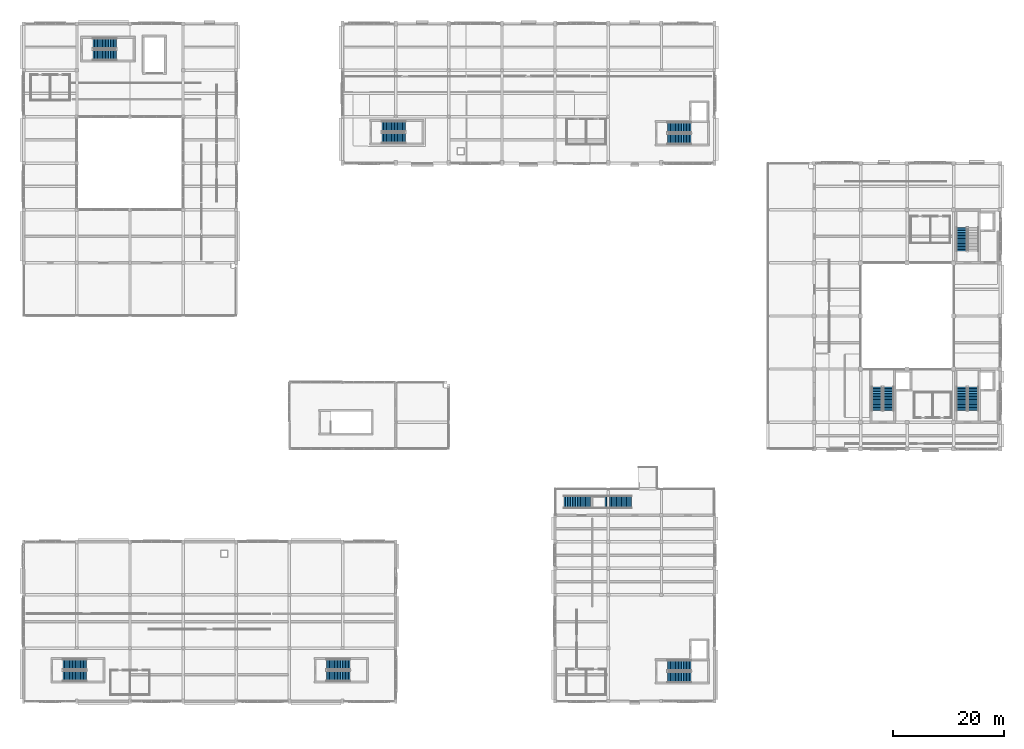
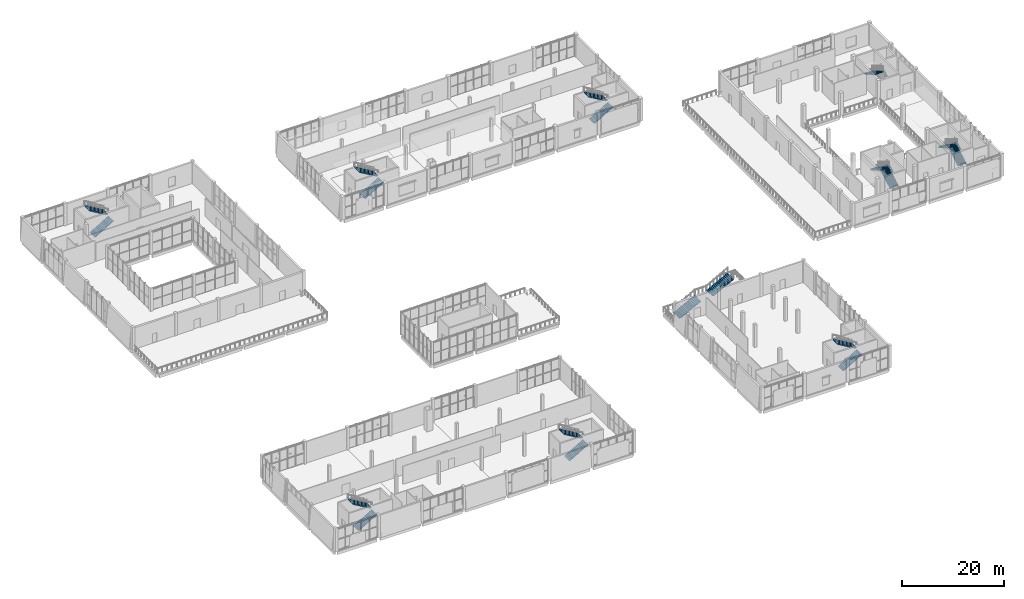
# One storey, part 61 of 83: 19 stair flights, 10 elements without a shape of their own.
"""IFC4 building model written with IfcOpenShell, lengths in metres."""

from ifc_helpers import new_model, si_unit, direction, frame, origin, place, context, subcontext, project, spatial, polyline, outline, extrude, material, type_object, element, aggregate, save


model = new_model("IFC4")

# Units and contexts
model_context = context("Model", 3, precision=1e-05, world=origin(), true_north=direction((0.0, 1.0)))
body_context = subcontext(model_context, "Body", "Model", "MODEL_VIEW")
ifc_project = project(units=[si_unit("LENGTHUNIT", "METRE"), si_unit("AREAUNIT", "SQUARE_METRE"), si_unit("VOLUMEUNIT", "CUBIC_METRE"), si_unit("PLANEANGLEUNIT", "RADIAN"), si_unit("MASSUNIT", "GRAM", prefix="KILO")], contexts=[model_context])

# Site, building, storey
site_placement = place(None, origin())
site = spatial("IfcSite", under=ifc_project, at=site_placement, CompositionType="ELEMENT")
building_placement = place(site_placement, origin())
building = spatial("IfcBuilding", under=site, at=building_placement, Name="Shalvenor Court Art Gallery", CompositionType="ELEMENT")
storey_placement = place(building_placement, frame((0.0, 0.0, 6.0)))
storey = spatial("IfcBuildingStorey", under=building, at=storey_placement, Name="L01", CompositionType="ELEMENT", Elevation=6.0)

# Stair, stair flight
ifc_material_1 = material(Name="Concrete C40/50", Category="concrete")
stair_type_1 = type_object("IfcStairType", Name="ST-DL-32R-1900", PredefinedType="HALF_TURN_STAIR", material=ifc_material_1)
stair_1_placement = place(storey_placement, origin())
stair_1 = element("IfcStair", 1, at=stair_1_placement, inside=storey, type_object=stair_type_1, Name="L01 Core Dogleg Stair ST-01", PredefinedType="HALF_TURN_STAIR")
ifc_material_2 = material(Name="Concrete C40/50", Category="concrete")
stair_flight_type_1 = type_object("IfcStairFlightType", Name="FL-DL-16R-1900", PredefinedType="STRAIGHT", material=ifc_material_2)
stair_flight_1_placement = place(storey_placement, frame((169.449951171875, 85.574951171875, 2.699951171875), z_axis=(0.0, 0.0, 1.0), x_axis=(0.0, -1.0, 0.0)))
stair_flight_1 = element("IfcStairFlight", 2, at=stair_flight_1_placement, type_object=stair_flight_type_1, Name="ST-DL-32R-1900 flight 2", NumberOfRisers=16, NumberOfTreads=15, PredefinedType="STRAIGHT", RiserHeight=0.16875, TreadLength=0.285, context=body_context, shape_type="SweptSolid", body=[
    extrude(outline(polyline([(0.0, 0.0), (0.0, 0.168701171875), (0.284912109375, 0.168701171875), (0.284912109375, 0.33740234375), (0.570068359375, 0.33740234375), (0.570068359375, 0.50634765625), (0.85498046875, 0.50634765625), (0.85498046875, 0.675048828125), (1.139892578125, 0.675048828125), (1.139892578125, 0.84375), (1.425048828125, 0.84375), (1.425048828125, 1.012451171875), (1.7099609375, 1.012451171875), (1.7099609375, 1.18115234375), (1.9951171875, 1.18115234375), (1.9951171875, 1.35009765625), (2.280029296875, 1.35009765625), (2.280029296875, 1.518798828125), (2.56494140625, 1.518798828125), (2.56494140625, 1.6875), (2.85009765625, 1.6875), (2.85009765625, 1.856201171875), (3.135009765625, 1.856201171875), (3.135009765625, 2.02490234375), (3.419921875, 2.02490234375), (3.419921875, 2.19384765625), (3.705078125, 2.19384765625), (3.705078125, 2.362548828125), (3.989990234375, 2.362548828125), (3.989990234375, 2.53125), (4.27490234375, 2.53125), (4.27490234375, 2.699951171875), (4.27490234375, 2.322021484375), (0.353271484375, 0.0), (0.0, 0.0)])), frame((0.0, 0.949951171875, 0.0), z_axis=(0.0, -1.0, 0.0), x_axis=(1.0, 0.0, 0.0)), (0.0, 0.0, 1.0), 1.89990234375),
])
aggregate(stair_1, [stair_flight_1])

# Stair, stair flights
stair_2_placement = place(storey_placement, origin())
stair_2 = element("IfcStair", 3, at=stair_2_placement, inside=storey, type_object=stair_type_1, Name="L01 Core Dogleg Stair ST-02", PredefinedType="HALF_TURN_STAIR")
stair_flight_2_placement = place(storey_placement, frame((171.550048828125, 52.5, 0.0), z_axis=(0.0, 0.0, 1.0), x_axis=(0.0, 1.0, 0.0)))
stair_flight_2 = element("IfcStairFlight", 4, at=stair_flight_2_placement, type_object=stair_flight_type_1, Name="ST-DL-32R-1900 flight 1", NumberOfRisers=16, NumberOfTreads=15, PredefinedType="STRAIGHT", RiserHeight=0.16875, TreadLength=0.285, context=body_context, shape_type="SweptSolid", body=[
    extrude(outline(polyline([(0.0, 0.0), (0.0, 0.168701171875), (0.284912109375, 0.168701171875), (0.284912109375, 0.33740234375), (0.570068359375, 0.33740234375), (0.570068359375, 0.50634765625), (0.85498046875, 0.50634765625), (0.85498046875, 0.675048828125), (1.139892578125, 0.675048828125), (1.139892578125, 0.84375), (1.425048828125, 0.84375), (1.425048828125, 1.012451171875), (1.7099609375, 1.012451171875), (1.7099609375, 1.18115234375), (1.9951171875, 1.18115234375), (1.9951171875, 1.35009765625), (2.280029296875, 1.35009765625), (2.280029296875, 1.518798828125), (2.56494140625, 1.518798828125), (2.56494140625, 1.6875), (2.85009765625, 1.6875), (2.85009765625, 1.856201171875), (3.135009765625, 1.856201171875), (3.135009765625, 2.02490234375), (3.419921875, 2.02490234375), (3.419921875, 2.19384765625), (3.705078125, 2.19384765625), (3.705078125, 2.362548828125), (3.989990234375, 2.362548828125), (3.989990234375, 2.53125), (4.27490234375, 2.53125), (4.27490234375, 2.699951171875), (4.27490234375, 2.322021484375), (0.353271484375, 0.0), (0.0, 0.0)])), frame((0.0, 0.949951171875, 0.0), z_axis=(0.0, -1.0, 0.0), x_axis=(1.0, 0.0, 0.0)), (0.0, 0.0, 1.0), 1.89990234375),
])
stair_flight_3_placement = place(storey_placement, frame((169.449951171875, 56.77490234375, 2.699951171875), z_axis=(0.0, 0.0, 1.0), x_axis=(0.0, -1.0, 0.0)))
stair_flight_3 = element("IfcStairFlight", 5, at=stair_flight_3_placement, type_object=stair_flight_type_1, Name="ST-DL-32R-1900 flight 2", NumberOfRisers=16, NumberOfTreads=15, PredefinedType="STRAIGHT", RiserHeight=0.16875, TreadLength=0.285, context=body_context, shape_type="SweptSolid", body=[
    extrude(outline(polyline([(0.0, 0.0), (0.0, 0.168701171875), (0.284912109375, 0.168701171875), (0.284912109375, 0.33740234375), (0.570068359375, 0.33740234375), (0.570068359375, 0.50634765625), (0.85498046875, 0.50634765625), (0.85498046875, 0.675048828125), (1.139892578125, 0.675048828125), (1.139892578125, 0.84375), (1.425048828125, 0.84375), (1.425048828125, 1.012451171875), (1.7099609375, 1.012451171875), (1.7099609375, 1.18115234375), (1.9951171875, 1.18115234375), (1.9951171875, 1.35009765625), (2.280029296875, 1.35009765625), (2.280029296875, 1.518798828125), (2.56494140625, 1.518798828125), (2.56494140625, 1.6875), (2.85009765625, 1.6875), (2.85009765625, 1.856201171875), (3.135009765625, 1.856201171875), (3.135009765625, 2.02490234375), (3.419921875, 2.02490234375), (3.419921875, 2.19384765625), (3.705078125, 2.19384765625), (3.705078125, 2.362548828125), (3.989990234375, 2.362548828125), (3.989990234375, 2.53125), (4.27490234375, 2.53125), (4.27490234375, 2.699951171875), (4.27490234375, 2.322021484375), (0.353271484375, 0.0), (0.0, 0.0)])), frame((0.0, 0.949951171875, 0.0), z_axis=(0.0, -1.0, 0.0), x_axis=(1.0, 0.0, 0.0)), (0.0, 0.0, 1.0), 1.89990234375),
])
aggregate(stair_2, [stair_flight_2, stair_flight_3])

stair_3_placement = place(storey_placement, origin())
stair_3 = element("IfcStair", 6, at=stair_3_placement, inside=storey, type_object=stair_type_1, Name="L01 Core Dogleg Stair ST-03", PredefinedType="HALF_TURN_STAIR")
stair_flight_4_placement = place(storey_placement, frame((156.25, 52.5, 0.0), z_axis=(0.0, 0.0, 1.0), x_axis=(0.0, 1.0, 0.0)))
stair_flight_4 = element("IfcStairFlight", 7, at=stair_flight_4_placement, type_object=stair_flight_type_1, Name="ST-DL-32R-1900 flight 1", NumberOfRisers=16, NumberOfTreads=15, PredefinedType="STRAIGHT", RiserHeight=0.16875, TreadLength=0.285, context=body_context, shape_type="SweptSolid", body=[
    extrude(outline(polyline([(0.0, 0.0), (0.0, 0.168701171875), (0.284912109375, 0.168701171875), (0.284912109375, 0.33740234375), (0.570068359375, 0.33740234375), (0.570068359375, 0.50634765625), (0.85498046875, 0.50634765625), (0.85498046875, 0.675048828125), (1.139892578125, 0.675048828125), (1.139892578125, 0.84375), (1.425048828125, 0.84375), (1.425048828125, 1.012451171875), (1.7099609375, 1.012451171875), (1.7099609375, 1.18115234375), (1.9951171875, 1.18115234375), (1.9951171875, 1.35009765625), (2.280029296875, 1.35009765625), (2.280029296875, 1.518798828125), (2.56494140625, 1.518798828125), (2.56494140625, 1.6875), (2.85009765625, 1.6875), (2.85009765625, 1.856201171875), (3.135009765625, 1.856201171875), (3.135009765625, 2.02490234375), (3.419921875, 2.02490234375), (3.419921875, 2.19384765625), (3.705078125, 2.19384765625), (3.705078125, 2.362548828125), (3.989990234375, 2.362548828125), (3.989990234375, 2.53125), (4.27490234375, 2.53125), (4.27490234375, 2.699951171875), (4.27490234375, 2.322021484375), (0.353271484375, 0.0), (0.0, 0.0)])), frame((0.0, 0.949951171875, 0.0), z_axis=(0.0, -1.0, 0.0), x_axis=(1.0, 0.0, 0.0)), (0.0, 0.0, 1.0), 1.89990234375),
])
stair_flight_5_placement = place(storey_placement, frame((154.14990234375, 56.77490234375, 2.699951171875), z_axis=(0.0, 0.0, 1.0), x_axis=(0.0, -1.0, 0.0)))
stair_flight_5 = element("IfcStairFlight", 8, at=stair_flight_5_placement, type_object=stair_flight_type_1, Name="ST-DL-32R-1900 flight 2", NumberOfRisers=16, NumberOfTreads=15, PredefinedType="STRAIGHT", RiserHeight=0.16875, TreadLength=0.285, context=body_context, shape_type="SweptSolid", body=[
    extrude(outline(polyline([(0.0, 0.0), (0.0, 0.168701171875), (0.284912109375, 0.168701171875), (0.284912109375, 0.33740234375), (0.570068359375, 0.33740234375), (0.570068359375, 0.50634765625), (0.85498046875, 0.50634765625), (0.85498046875, 0.675048828125), (1.139892578125, 0.675048828125), (1.139892578125, 0.84375), (1.425048828125, 0.84375), (1.425048828125, 1.012451171875), (1.7099609375, 1.012451171875), (1.7099609375, 1.18115234375), (1.9951171875, 1.18115234375), (1.9951171875, 1.35009765625), (2.280029296875, 1.35009765625), (2.280029296875, 1.518798828125), (2.56494140625, 1.518798828125), (2.56494140625, 1.6875), (2.85009765625, 1.6875), (2.85009765625, 1.856201171875), (3.135009765625, 1.856201171875), (3.135009765625, 2.02490234375), (3.419921875, 2.02490234375), (3.419921875, 2.19384765625), (3.705078125, 2.19384765625), (3.705078125, 2.362548828125), (3.989990234375, 2.362548828125), (3.989990234375, 2.53125), (4.27490234375, 2.53125), (4.27490234375, 2.699951171875), (4.27490234375, 2.322021484375), (0.353271484375, 0.0), (0.0, 0.0)])), frame((0.0, 0.949951171875, 0.0), z_axis=(0.0, -1.0, 0.0), x_axis=(1.0, 0.0, 0.0)), (0.0, 0.0, 1.0), 1.89990234375),
])
aggregate(stair_3, [stair_flight_4, stair_flight_5])

stair_4_placement = place(storey_placement, origin())
stair_4 = element("IfcStair", 9, at=stair_4_placement, inside=storey, type_object=stair_type_1, Name="L01 Core Dogleg Stair ST-04", PredefinedType="HALF_TURN_STAIR")
stair_flight_6_placement = place(storey_placement, frame((116.300048828125, 4.35009765625, 0.0), z_axis=(0.0, 0.0, 1.0), x_axis=(1.0, 0.0, 0.0)))
stair_flight_6 = element("IfcStairFlight", 10, at=stair_flight_6_placement, type_object=stair_flight_type_1, Name="ST-DL-32R-1900 flight 1", NumberOfRisers=16, NumberOfTreads=15, PredefinedType="STRAIGHT", RiserHeight=0.16875, TreadLength=0.285, context=body_context, shape_type="SweptSolid", body=[
    extrude(outline(polyline([(0.0, 0.0), (0.0, 0.168701171875), (0.284912109375, 0.168701171875), (0.284912109375, 0.33740234375), (0.570068359375, 0.33740234375), (0.570068359375, 0.50634765625), (0.85498046875, 0.50634765625), (0.85498046875, 0.675048828125), (1.139892578125, 0.675048828125), (1.139892578125, 0.84375), (1.425048828125, 0.84375), (1.425048828125, 1.012451171875), (1.7099609375, 1.012451171875), (1.7099609375, 1.18115234375), (1.9951171875, 1.18115234375), (1.9951171875, 1.35009765625), (2.280029296875, 1.35009765625), (2.280029296875, 1.518798828125), (2.56494140625, 1.518798828125), (2.56494140625, 1.6875), (2.85009765625, 1.6875), (2.85009765625, 1.856201171875), (3.135009765625, 1.856201171875), (3.135009765625, 2.02490234375), (3.419921875, 2.02490234375), (3.419921875, 2.19384765625), (3.705078125, 2.19384765625), (3.705078125, 2.362548828125), (3.989990234375, 2.362548828125), (3.989990234375, 2.53125), (4.27490234375, 2.53125), (4.27490234375, 2.699951171875), (4.27490234375, 2.322021484375), (0.353271484375, 0.0), (0.0, 0.0)])), frame((0.0, 0.949951171875, 0.0), z_axis=(0.0, -1.0, 0.0), x_axis=(1.0, 0.0, 0.0)), (0.0, 0.0, 1.0), 1.89990234375),
])
stair_flight_7_placement = place(storey_placement, frame((120.574951171875, 6.449951171875, 2.699951171875), z_axis=(0.0, 0.0, 1.0), x_axis=(-1.0, 0.0, 0.0)))
stair_flight_7 = element("IfcStairFlight", 11, at=stair_flight_7_placement, type_object=stair_flight_type_1, Name="ST-DL-32R-1900 flight 2", NumberOfRisers=16, NumberOfTreads=15, PredefinedType="STRAIGHT", RiserHeight=0.16875, TreadLength=0.285, context=body_context, shape_type="SweptSolid", body=[
    extrude(outline(polyline([(0.0, 0.0), (0.0, 0.168701171875), (0.284912109375, 0.168701171875), (0.284912109375, 0.33740234375), (0.570068359375, 0.33740234375), (0.570068359375, 0.50634765625), (0.85498046875, 0.50634765625), (0.85498046875, 0.675048828125), (1.139892578125, 0.675048828125), (1.139892578125, 0.84375), (1.425048828125, 0.84375), (1.425048828125, 1.012451171875), (1.7099609375, 1.012451171875), (1.7099609375, 1.18115234375), (1.9951171875, 1.18115234375), (1.9951171875, 1.35009765625), (2.280029296875, 1.35009765625), (2.280029296875, 1.518798828125), (2.56494140625, 1.518798828125), (2.56494140625, 1.6875), (2.85009765625, 1.6875), (2.85009765625, 1.856201171875), (3.135009765625, 1.856201171875), (3.135009765625, 2.02490234375), (3.419921875, 2.02490234375), (3.419921875, 2.19384765625), (3.705078125, 2.19384765625), (3.705078125, 2.362548828125), (3.989990234375, 2.362548828125), (3.989990234375, 2.53125), (4.27490234375, 2.53125), (4.27490234375, 2.699951171875), (4.27490234375, 2.322021484375), (0.353271484375, 0.0), (0.0, 0.0)])), frame((0.0, 0.949951171875, 0.0), z_axis=(0.0, -1.0, 0.0), x_axis=(1.0, 0.0, 0.0)), (0.0, 0.0, 1.0), 1.89990234375),
])
aggregate(stair_4, [stair_flight_6, stair_flight_7])

stair_5_placement = place(storey_placement, origin())
stair_5 = element("IfcStair", 12, at=stair_5_placement, inside=storey, type_object=stair_type_1, Name="L01 Core Dogleg Stair ST-05", PredefinedType="HALF_TURN_STAIR")
stair_flight_8_placement = place(storey_placement, frame((116.300048828125, 101.550048828125, 0.0), z_axis=(0.0, 0.0, 1.0), x_axis=(1.0, 0.0, 0.0)))
stair_flight_8 = element("IfcStairFlight", 13, at=stair_flight_8_placement, type_object=stair_flight_type_1, Name="ST-DL-32R-1900 flight 1", NumberOfRisers=16, NumberOfTreads=15, PredefinedType="STRAIGHT", RiserHeight=0.16875, TreadLength=0.285, context=body_context, shape_type="SweptSolid", body=[
    extrude(outline(polyline([(0.0, 0.0), (0.0, 0.168701171875), (0.284912109375, 0.168701171875), (0.284912109375, 0.33740234375), (0.570068359375, 0.33740234375), (0.570068359375, 0.50634765625), (0.85498046875, 0.50634765625), (0.85498046875, 0.675048828125), (1.139892578125, 0.675048828125), (1.139892578125, 0.84375), (1.425048828125, 0.84375), (1.425048828125, 1.012451171875), (1.7099609375, 1.012451171875), (1.7099609375, 1.18115234375), (1.9951171875, 1.18115234375), (1.9951171875, 1.35009765625), (2.280029296875, 1.35009765625), (2.280029296875, 1.518798828125), (2.56494140625, 1.518798828125), (2.56494140625, 1.6875), (2.85009765625, 1.6875), (2.85009765625, 1.856201171875), (3.135009765625, 1.856201171875), (3.135009765625, 2.02490234375), (3.419921875, 2.02490234375), (3.419921875, 2.19384765625), (3.705078125, 2.19384765625), (3.705078125, 2.362548828125), (3.989990234375, 2.362548828125), (3.989990234375, 2.53125), (4.27490234375, 2.53125), (4.27490234375, 2.699951171875), (4.27490234375, 2.322021484375), (0.353271484375, 0.0), (0.0, 0.0)])), frame((0.0, 0.949951171875, 0.0), z_axis=(0.0, -1.0, 0.0), x_axis=(1.0, 0.0, 0.0)), (0.0, 0.0, 1.0), 1.89990234375),
])
stair_flight_9_placement = place(storey_placement, frame((120.574951171875, 103.64990234375, 2.699951171875), z_axis=(0.0, 0.0, 1.0), x_axis=(-1.0, 0.0, 0.0)))
stair_flight_9 = element("IfcStairFlight", 14, at=stair_flight_9_placement, type_object=stair_flight_type_1, Name="ST-DL-32R-1900 flight 2", NumberOfRisers=16, NumberOfTreads=15, PredefinedType="STRAIGHT", RiserHeight=0.16875, TreadLength=0.285, context=body_context, shape_type="SweptSolid", body=[
    extrude(outline(polyline([(0.0, 0.0), (0.0, 0.168701171875), (0.284912109375, 0.168701171875), (0.284912109375, 0.33740234375), (0.570068359375, 0.33740234375), (0.570068359375, 0.50634765625), (0.85498046875, 0.50634765625), (0.85498046875, 0.675048828125), (1.139892578125, 0.675048828125), (1.139892578125, 0.84375), (1.425048828125, 0.84375), (1.425048828125, 1.012451171875), (1.7099609375, 1.012451171875), (1.7099609375, 1.18115234375), (1.9951171875, 1.18115234375), (1.9951171875, 1.35009765625), (2.280029296875, 1.35009765625), (2.280029296875, 1.518798828125), (2.56494140625, 1.518798828125), (2.56494140625, 1.6875), (2.85009765625, 1.6875), (2.85009765625, 1.856201171875), (3.135009765625, 1.856201171875), (3.135009765625, 2.02490234375), (3.419921875, 2.02490234375), (3.419921875, 2.19384765625), (3.705078125, 2.19384765625), (3.705078125, 2.362548828125), (3.989990234375, 2.362548828125), (3.989990234375, 2.53125), (4.27490234375, 2.53125), (4.27490234375, 2.699951171875), (4.27490234375, 2.322021484375), (0.353271484375, 0.0), (0.0, 0.0)])), frame((0.0, 0.949951171875, 0.0), z_axis=(0.0, -1.0, 0.0), x_axis=(1.0, 0.0, 0.0)), (0.0, 0.0, 1.0), 1.89990234375),
])
aggregate(stair_5, [stair_flight_8, stair_flight_9])

stair_6_placement = place(storey_placement, origin())
stair_6 = element("IfcStair", 15, at=stair_6_placement, inside=storey, type_object=stair_type_1, Name="L01 Core Dogleg Stair ST-06", PredefinedType="HALF_TURN_STAIR")
stair_flight_10_placement = place(storey_placement, frame((12.5, 116.75, 0.0), z_axis=(0.0, 0.0, 1.0), x_axis=(1.0, 0.0, 0.0)))
stair_flight_10 = element("IfcStairFlight", 16, at=stair_flight_10_placement, type_object=stair_flight_type_1, Name="ST-DL-32R-1900 flight 1", NumberOfRisers=16, NumberOfTreads=15, PredefinedType="STRAIGHT", RiserHeight=0.16875, TreadLength=0.285, context=body_context, shape_type="SweptSolid", body=[
    extrude(outline(polyline([(0.0, 0.0), (0.0, 0.168701171875), (0.284912109375, 0.168701171875), (0.284912109375, 0.33740234375), (0.570068359375, 0.33740234375), (0.570068359375, 0.50634765625), (0.85498046875, 0.50634765625), (0.85498046875, 0.675048828125), (1.139892578125, 0.675048828125), (1.139892578125, 0.84375), (1.425048828125, 0.84375), (1.425048828125, 1.012451171875), (1.7099609375, 1.012451171875), (1.7099609375, 1.18115234375), (1.9951171875, 1.18115234375), (1.9951171875, 1.35009765625), (2.280029296875, 1.35009765625), (2.280029296875, 1.518798828125), (2.56494140625, 1.518798828125), (2.56494140625, 1.6875), (2.85009765625, 1.6875), (2.85009765625, 1.856201171875), (3.135009765625, 1.856201171875), (3.135009765625, 2.02490234375), (3.419921875, 2.02490234375), (3.419921875, 2.19384765625), (3.705078125, 2.19384765625), (3.705078125, 2.362548828125), (3.989990234375, 2.362548828125), (3.989990234375, 2.53125), (4.27490234375, 2.53125), (4.27490234375, 2.699951171875), (4.27490234375, 2.322021484375), (0.353271484375, 0.0), (0.0, 0.0)])), frame((0.0, 0.949951171875, 0.0), z_axis=(0.0, -1.0, 0.0), x_axis=(1.0, 0.0, 0.0)), (0.0, 0.0, 1.0), 1.89990234375),
])
stair_flight_11_placement = place(storey_placement, frame((16.77490234375, 118.85009765625, 2.699951171875), z_axis=(0.0, 0.0, 1.0), x_axis=(-1.0, 0.0, 0.0)))
stair_flight_11 = element("IfcStairFlight", 17, at=stair_flight_11_placement, type_object=stair_flight_type_1, Name="ST-DL-32R-1900 flight 2", NumberOfRisers=16, NumberOfTreads=15, PredefinedType="STRAIGHT", RiserHeight=0.16875, TreadLength=0.285, context=body_context, shape_type="SweptSolid", body=[
    extrude(outline(polyline([(0.0, 0.0), (0.0, 0.168701171875), (0.284912109375, 0.168701171875), (0.284912109375, 0.33740234375), (0.570068359375, 0.33740234375), (0.570068359375, 0.50634765625), (0.85498046875, 0.50634765625), (0.85498046875, 0.675048828125), (1.139892578125, 0.675048828125), (1.139892578125, 0.84375), (1.425048828125, 0.84375), (1.425048828125, 1.012451171875), (1.7099609375, 1.012451171875), (1.7099609375, 1.18115234375), (1.9951171875, 1.18115234375), (1.9951171875, 1.35009765625), (2.280029296875, 1.35009765625), (2.280029296875, 1.518798828125), (2.56494140625, 1.518798828125), (2.56494140625, 1.6875), (2.85009765625, 1.6875), (2.85009765625, 1.856201171875), (3.135009765625, 1.856201171875), (3.135009765625, 2.02490234375), (3.419921875, 2.02490234375), (3.419921875, 2.19384765625), (3.705078125, 2.19384765625), (3.705078125, 2.362548828125), (3.989990234375, 2.362548828125), (3.989990234375, 2.53125), (4.27490234375, 2.53125), (4.27490234375, 2.699951171875), (4.27490234375, 2.322021484375), (0.353271484375, 0.0), (0.0, 0.0)])), frame((0.0, 0.949951171875, 0.0), z_axis=(0.0, -1.0, 0.0), x_axis=(1.0, 0.0, 0.0)), (0.0, 0.0, 1.0), 1.89990234375),
])
aggregate(stair_6, [stair_flight_10, stair_flight_11])

stair_7_placement = place(storey_placement, origin())
stair_7 = element("IfcStair", 18, at=stair_7_placement, inside=storey, type_object=stair_type_1, Name="L01 Core Dogleg Stair ST-07", PredefinedType="HALF_TURN_STAIR")
stair_flight_12_placement = place(storey_placement, frame((7.10009765625, 4.550048828125, 0.0), z_axis=(0.0, 0.0, 1.0), x_axis=(1.0, 0.0, 0.0)))
stair_flight_12 = element("IfcStairFlight", 19, at=stair_flight_12_placement, type_object=stair_flight_type_1, Name="ST-DL-32R-1900 flight 1", NumberOfRisers=16, NumberOfTreads=15, PredefinedType="STRAIGHT", RiserHeight=0.16875, TreadLength=0.285, context=body_context, shape_type="SweptSolid", body=[
    extrude(outline(polyline([(0.0, 0.0), (0.0, 0.168701171875), (0.284912109375, 0.168701171875), (0.284912109375, 0.33740234375), (0.570068359375, 0.33740234375), (0.570068359375, 0.50634765625), (0.85498046875, 0.50634765625), (0.85498046875, 0.675048828125), (1.139892578125, 0.675048828125), (1.139892578125, 0.84375), (1.425048828125, 0.84375), (1.425048828125, 1.012451171875), (1.7099609375, 1.012451171875), (1.7099609375, 1.18115234375), (1.9951171875, 1.18115234375), (1.9951171875, 1.35009765625), (2.280029296875, 1.35009765625), (2.280029296875, 1.518798828125), (2.56494140625, 1.518798828125), (2.56494140625, 1.6875), (2.85009765625, 1.6875), (2.85009765625, 1.856201171875), (3.135009765625, 1.856201171875), (3.135009765625, 2.02490234375), (3.419921875, 2.02490234375), (3.419921875, 2.19384765625), (3.705078125, 2.19384765625), (3.705078125, 2.362548828125), (3.989990234375, 2.362548828125), (3.989990234375, 2.53125), (4.27490234375, 2.53125), (4.27490234375, 2.699951171875), (4.27490234375, 2.322021484375), (0.353271484375, 0.0), (0.0, 0.0)])), frame((0.0, 0.949951171875, 0.0), z_axis=(0.0, -1.0, 0.0), x_axis=(1.0, 0.0, 0.0)), (0.0, 0.0, 1.0), 1.89990234375),
])
stair_flight_13_placement = place(storey_placement, frame((11.375, 6.64990234375, 2.699951171875), z_axis=(0.0, 0.0, 1.0), x_axis=(-1.0, 0.0, 0.0)))
stair_flight_13 = element("IfcStairFlight", 20, at=stair_flight_13_placement, type_object=stair_flight_type_1, Name="ST-DL-32R-1900 flight 2", NumberOfRisers=16, NumberOfTreads=15, PredefinedType="STRAIGHT", RiserHeight=0.16875, TreadLength=0.285, context=body_context, shape_type="SweptSolid", body=[
    extrude(outline(polyline([(0.0, 0.0), (0.0, 0.168701171875), (0.284912109375, 0.168701171875), (0.284912109375, 0.33740234375), (0.570068359375, 0.33740234375), (0.570068359375, 0.50634765625), (0.85498046875, 0.50634765625), (0.85498046875, 0.675048828125), (1.139892578125, 0.675048828125), (1.139892578125, 0.84375), (1.425048828125, 0.84375), (1.425048828125, 1.012451171875), (1.7099609375, 1.012451171875), (1.7099609375, 1.18115234375), (1.9951171875, 1.18115234375), (1.9951171875, 1.35009765625), (2.280029296875, 1.35009765625), (2.280029296875, 1.518798828125), (2.56494140625, 1.518798828125), (2.56494140625, 1.6875), (2.85009765625, 1.6875), (2.85009765625, 1.856201171875), (3.135009765625, 1.856201171875), (3.135009765625, 2.02490234375), (3.419921875, 2.02490234375), (3.419921875, 2.19384765625), (3.705078125, 2.19384765625), (3.705078125, 2.362548828125), (3.989990234375, 2.362548828125), (3.989990234375, 2.53125), (4.27490234375, 2.53125), (4.27490234375, 2.699951171875), (4.27490234375, 2.322021484375), (0.353271484375, 0.0), (0.0, 0.0)])), frame((0.0, 0.949951171875, 0.0), z_axis=(0.0, -1.0, 0.0), x_axis=(1.0, 0.0, 0.0)), (0.0, 0.0, 1.0), 1.89990234375),
])
aggregate(stair_7, [stair_flight_12, stair_flight_13])

stair_8_placement = place(storey_placement, origin())
stair_8 = element("IfcStair", 21, at=stair_8_placement, inside=storey, type_object=stair_type_1, Name="L01 Core Dogleg Stair ST-08", PredefinedType="HALF_TURN_STAIR")
stair_flight_14_placement = place(storey_placement, frame((54.699951171875, 4.550048828125, 0.0), z_axis=(0.0, 0.0, 1.0), x_axis=(1.0, 0.0, 0.0)))
stair_flight_14 = element("IfcStairFlight", 22, at=stair_flight_14_placement, type_object=stair_flight_type_1, Name="ST-DL-32R-1900 flight 1", NumberOfRisers=16, NumberOfTreads=15, PredefinedType="STRAIGHT", RiserHeight=0.16875, TreadLength=0.285, context=body_context, shape_type="SweptSolid", body=[
    extrude(outline(polyline([(0.0, 0.0), (0.0, 0.168701171875), (0.284912109375, 0.168701171875), (0.284912109375, 0.33740234375), (0.570068359375, 0.33740234375), (0.570068359375, 0.50634765625), (0.85498046875, 0.50634765625), (0.85498046875, 0.675048828125), (1.139892578125, 0.675048828125), (1.139892578125, 0.84375), (1.425048828125, 0.84375), (1.425048828125, 1.012451171875), (1.7099609375, 1.012451171875), (1.7099609375, 1.18115234375), (1.9951171875, 1.18115234375), (1.9951171875, 1.35009765625), (2.280029296875, 1.35009765625), (2.280029296875, 1.518798828125), (2.56494140625, 1.518798828125), (2.56494140625, 1.6875), (2.85009765625, 1.6875), (2.85009765625, 1.856201171875), (3.135009765625, 1.856201171875), (3.135009765625, 2.02490234375), (3.419921875, 2.02490234375), (3.419921875, 2.19384765625), (3.705078125, 2.19384765625), (3.705078125, 2.362548828125), (3.989990234375, 2.362548828125), (3.989990234375, 2.53125), (4.27490234375, 2.53125), (4.27490234375, 2.699951171875), (4.27490234375, 2.322021484375), (0.353271484375, 0.0), (0.0, 0.0)])), frame((0.0, 0.949951171875, 0.0), z_axis=(0.0, -1.0, 0.0), x_axis=(1.0, 0.0, 0.0)), (0.0, 0.0, 1.0), 1.89990234375),
])
stair_flight_15_placement = place(storey_placement, frame((58.97509765625, 6.64990234375, 2.699951171875), z_axis=(0.0, 0.0, 1.0), x_axis=(-1.0, 0.0, 0.0)))
stair_flight_15 = element("IfcStairFlight", 23, at=stair_flight_15_placement, type_object=stair_flight_type_1, Name="ST-DL-32R-1900 flight 2", NumberOfRisers=16, NumberOfTreads=15, PredefinedType="STRAIGHT", RiserHeight=0.16875, TreadLength=0.285, context=body_context, shape_type="SweptSolid", body=[
    extrude(outline(polyline([(0.0, 0.0), (0.0, 0.168701171875), (0.284912109375, 0.168701171875), (0.284912109375, 0.33740234375), (0.570068359375, 0.33740234375), (0.570068359375, 0.50634765625), (0.85498046875, 0.50634765625), (0.85498046875, 0.675048828125), (1.139892578125, 0.675048828125), (1.139892578125, 0.84375), (1.425048828125, 0.84375), (1.425048828125, 1.012451171875), (1.7099609375, 1.012451171875), (1.7099609375, 1.18115234375), (1.9951171875, 1.18115234375), (1.9951171875, 1.35009765625), (2.280029296875, 1.35009765625), (2.280029296875, 1.518798828125), (2.56494140625, 1.518798828125), (2.56494140625, 1.6875), (2.85009765625, 1.6875), (2.85009765625, 1.856201171875), (3.135009765625, 1.856201171875), (3.135009765625, 2.02490234375), (3.419921875, 2.02490234375), (3.419921875, 2.19384765625), (3.705078125, 2.19384765625), (3.705078125, 2.362548828125), (3.989990234375, 2.362548828125), (3.989990234375, 2.53125), (4.27490234375, 2.53125), (4.27490234375, 2.699951171875), (4.27490234375, 2.322021484375), (0.353271484375, 0.0), (0.0, 0.0)])), frame((0.0, 0.949951171875, 0.0), z_axis=(0.0, -1.0, 0.0), x_axis=(1.0, 0.0, 0.0)), (0.0, 0.0, 1.0), 1.89990234375),
])
aggregate(stair_8, [stair_flight_14, stair_flight_15])

stair_9_placement = place(storey_placement, origin())
stair_9 = element("IfcStair", 24, at=stair_9_placement, inside=storey, type_object=stair_type_1, Name="L01 Core Dogleg Stair ST-09", PredefinedType="HALF_TURN_STAIR")
stair_flight_16_placement = place(storey_placement, frame((64.699951171875, 101.75, 0.0), z_axis=(0.0, 0.0, 1.0), x_axis=(1.0, 0.0, 0.0)))
stair_flight_16 = element("IfcStairFlight", 25, at=stair_flight_16_placement, type_object=stair_flight_type_1, Name="ST-DL-32R-1900 flight 1", NumberOfRisers=16, NumberOfTreads=15, PredefinedType="STRAIGHT", RiserHeight=0.16875, TreadLength=0.285, context=body_context, shape_type="SweptSolid", body=[
    extrude(outline(polyline([(0.0, 0.0), (0.0, 0.168701171875), (0.284912109375, 0.168701171875), (0.284912109375, 0.33740234375), (0.570068359375, 0.33740234375), (0.570068359375, 0.50634765625), (0.85498046875, 0.50634765625), (0.85498046875, 0.675048828125), (1.139892578125, 0.675048828125), (1.139892578125, 0.84375), (1.425048828125, 0.84375), (1.425048828125, 1.012451171875), (1.7099609375, 1.012451171875), (1.7099609375, 1.18115234375), (1.9951171875, 1.18115234375), (1.9951171875, 1.35009765625), (2.280029296875, 1.35009765625), (2.280029296875, 1.518798828125), (2.56494140625, 1.518798828125), (2.56494140625, 1.6875), (2.85009765625, 1.6875), (2.85009765625, 1.856201171875), (3.135009765625, 1.856201171875), (3.135009765625, 2.02490234375), (3.419921875, 2.02490234375), (3.419921875, 2.19384765625), (3.705078125, 2.19384765625), (3.705078125, 2.362548828125), (3.989990234375, 2.362548828125), (3.989990234375, 2.53125), (4.27490234375, 2.53125), (4.27490234375, 2.699951171875), (4.27490234375, 2.322021484375), (0.353271484375, 0.0), (0.0, 0.0)])), frame((0.0, 0.949951171875, 0.0), z_axis=(0.0, -1.0, 0.0), x_axis=(1.0, 0.0, 0.0)), (0.0, 0.0, 1.0), 1.89990234375),
])
stair_flight_17_placement = place(storey_placement, frame((68.97509765625, 103.85009765625, 2.699951171875), z_axis=(0.0, 0.0, 1.0), x_axis=(-1.0, 0.0, 0.0)))
stair_flight_17 = element("IfcStairFlight", 26, at=stair_flight_17_placement, type_object=stair_flight_type_1, Name="ST-DL-32R-1900 flight 2", NumberOfRisers=16, NumberOfTreads=15, PredefinedType="STRAIGHT", RiserHeight=0.16875, TreadLength=0.285, context=body_context, shape_type="SweptSolid", body=[
    extrude(outline(polyline([(0.0, 0.0), (0.0, 0.168701171875), (0.284912109375, 0.168701171875), (0.284912109375, 0.33740234375), (0.570068359375, 0.33740234375), (0.570068359375, 0.50634765625), (0.85498046875, 0.50634765625), (0.85498046875, 0.675048828125), (1.139892578125, 0.675048828125), (1.139892578125, 0.84375), (1.425048828125, 0.84375), (1.425048828125, 1.012451171875), (1.7099609375, 1.012451171875), (1.7099609375, 1.18115234375), (1.9951171875, 1.18115234375), (1.9951171875, 1.35009765625), (2.280029296875, 1.35009765625), (2.280029296875, 1.518798828125), (2.56494140625, 1.518798828125), (2.56494140625, 1.6875), (2.85009765625, 1.6875), (2.85009765625, 1.856201171875), (3.135009765625, 1.856201171875), (3.135009765625, 2.02490234375), (3.419921875, 2.02490234375), (3.419921875, 2.19384765625), (3.705078125, 2.19384765625), (3.705078125, 2.362548828125), (3.989990234375, 2.362548828125), (3.989990234375, 2.53125), (4.27490234375, 2.53125), (4.27490234375, 2.699951171875), (4.27490234375, 2.322021484375), (0.353271484375, 0.0), (0.0, 0.0)])), frame((0.0, 0.949951171875, 0.0), z_axis=(0.0, -1.0, 0.0), x_axis=(1.0, 0.0, 0.0)), (0.0, 0.0, 1.0), 1.89990234375),
])
aggregate(stair_9, [stair_flight_16, stair_flight_17])

ifc_material_3 = material(Name="Concrete C40/50", Category="concrete")
stair_type_2 = type_object("IfcStairType", Name="ST-T3-TP", PredefinedType="STRAIGHT_RUN_STAIR", material=ifc_material_3)
stair_10_placement = place(storey_placement, origin())
stair_10 = element("IfcStair", 27, at=stair_10_placement, inside=storey, type_object=stair_type_2, Name="Sculpture Terrace Stair 3", PredefinedType="STRAIGHT_RUN_STAIR")
ifc_material_4 = material(Name="Concrete C40/50", Category="concrete")
stair_flight_type_2 = type_object("IfcStairFlightType", Name="ST-T3-FL", PredefinedType="STRAIGHT", material=ifc_material_4)
stair_flight_18_placement = place(storey_placement, frame((97.60009765625, 36.0, 0.0), z_axis=(0.0, 0.0, 1.0), x_axis=(1.0, 0.0, 0.0)))
stair_flight_18 = element("IfcStairFlight", 28, at=stair_flight_18_placement, type_object=stair_flight_type_2, Name="ST-T3-TP flight 1", NumberOfRisers=17, NumberOfTreads=16, PredefinedType="STRAIGHT", RiserHeight=0.158823529, TreadLength=0.3, context=body_context, shape_type="SweptSolid", body=[
    extrude(outline(polyline([(0.0, 0.0), (0.0, 0.158935546875), (0.300048828125, 0.158935546875), (0.300048828125, 0.317626953125), (0.60009765625, 0.317626953125), (0.60009765625, 0.4765625), (0.89990234375, 0.4765625), (0.89990234375, 0.63525390625), (1.199951171875, 0.63525390625), (1.199951171875, 0.794189453125), (1.5, 0.794189453125), (1.5, 0.952880859375), (1.800048828125, 0.952880859375), (1.800048828125, 1.11181640625), (2.10009765625, 1.11181640625), (2.10009765625, 1.2705078125), (2.39990234375, 1.2705078125), (2.39990234375, 1.429443359375), (2.699951171875, 1.429443359375), (2.699951171875, 1.588134765625), (3.0, 1.588134765625), (3.0, 1.7470703125), (3.300048828125, 1.7470703125), (3.300048828125, 1.90576171875), (3.60009765625, 1.90576171875), (3.60009765625, 2.064697265625), (3.89990234375, 2.064697265625), (3.89990234375, 2.2236328125), (4.199951171875, 2.2236328125), (4.199951171875, 2.38232421875), (4.5, 2.38232421875), (4.5, 2.541259765625), (4.800048828125, 2.541259765625), (4.800048828125, 2.699951171875), (4.800048828125, 2.292236328125), (0.47021484375, 0.0), (0.0, 0.0)])), frame((0.0, 1.14990234375, 0.0), z_axis=(0.0, -1.0, 0.0), x_axis=(1.0, 0.0, 0.0)), (0.0, 0.0, 1.0), 2.300048828125),
])
stair_flight_19_placement = place(storey_placement, frame((105.0, 36.0, 2.699951171875), z_axis=(0.0, 0.0, 1.0), x_axis=(1.0, 0.0, 0.0)))
stair_flight_19 = element("IfcStairFlight", 29, at=stair_flight_19_placement, type_object=stair_flight_type_2, Name="ST-T3-TP flight 2", NumberOfRisers=17, NumberOfTreads=16, PredefinedType="STRAIGHT", RiserHeight=0.158823529, TreadLength=0.3, context=body_context, shape_type="SweptSolid", body=[
    extrude(outline(polyline([(0.0, 0.0), (0.0, 0.158935546875), (0.300048828125, 0.158935546875), (0.300048828125, 0.317626953125), (0.60009765625, 0.317626953125), (0.60009765625, 0.4765625), (0.89990234375, 0.4765625), (0.89990234375, 0.63525390625), (1.199951171875, 0.63525390625), (1.199951171875, 0.794189453125), (1.5, 0.794189453125), (1.5, 0.952880859375), (1.800048828125, 0.952880859375), (1.800048828125, 1.11181640625), (2.10009765625, 1.11181640625), (2.10009765625, 1.2705078125), (2.39990234375, 1.2705078125), (2.39990234375, 1.429443359375), (2.699951171875, 1.429443359375), (2.699951171875, 1.588134765625), (3.0, 1.588134765625), (3.0, 1.7470703125), (3.300048828125, 1.7470703125), (3.300048828125, 1.90576171875), (3.60009765625, 1.90576171875), (3.60009765625, 2.064697265625), (3.89990234375, 2.064697265625), (3.89990234375, 2.2236328125), (4.199951171875, 2.2236328125), (4.199951171875, 2.38232421875), (4.5, 2.38232421875), (4.5, 2.541259765625), (4.800048828125, 2.541259765625), (4.800048828125, 2.699951171875), (4.800048828125, 2.292236328125), (0.47021484375, 0.0), (0.0, 0.0)])), frame((0.0, 1.14990234375, 0.0), z_axis=(0.0, -1.0, 0.0), x_axis=(1.0, 0.0, 0.0)), (0.0, 0.0, 1.0), 2.300048828125),
])
aggregate(stair_10, [stair_flight_18, stair_flight_19])

save(model, "model.ifc")
